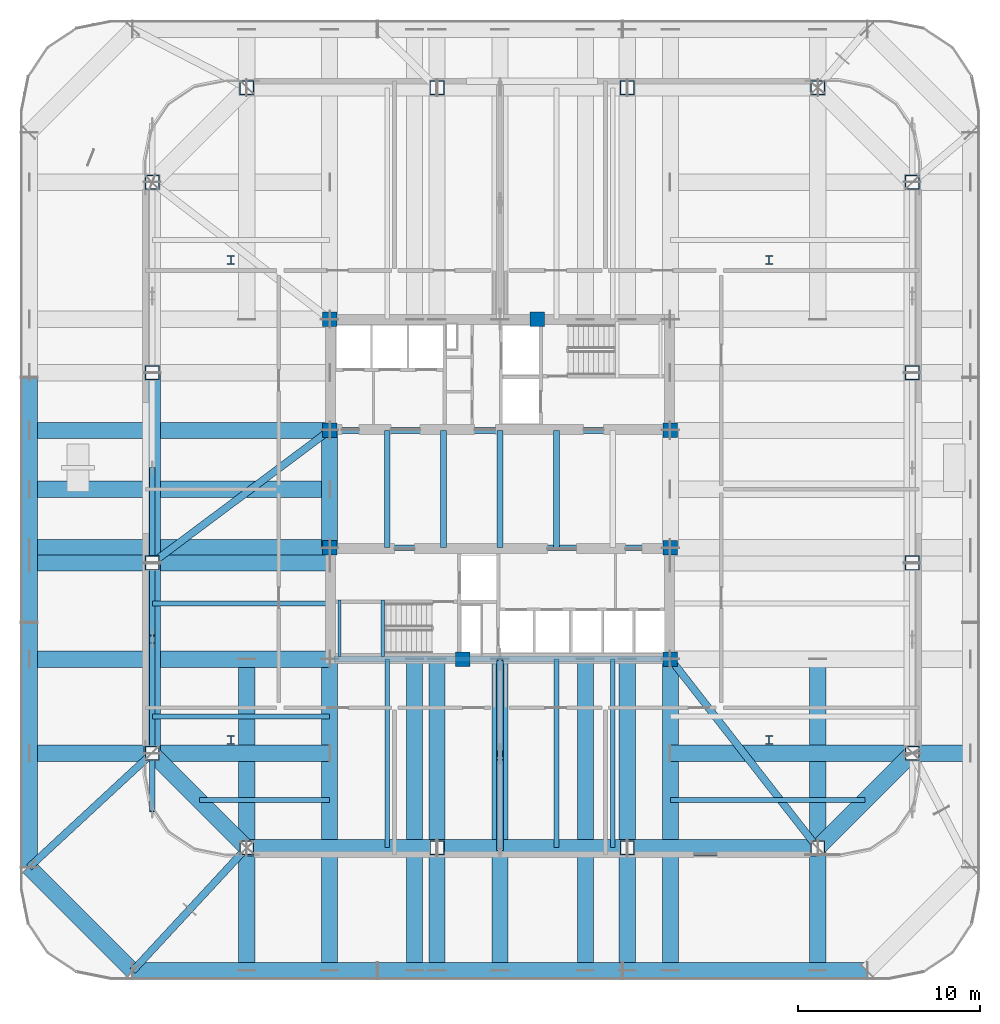
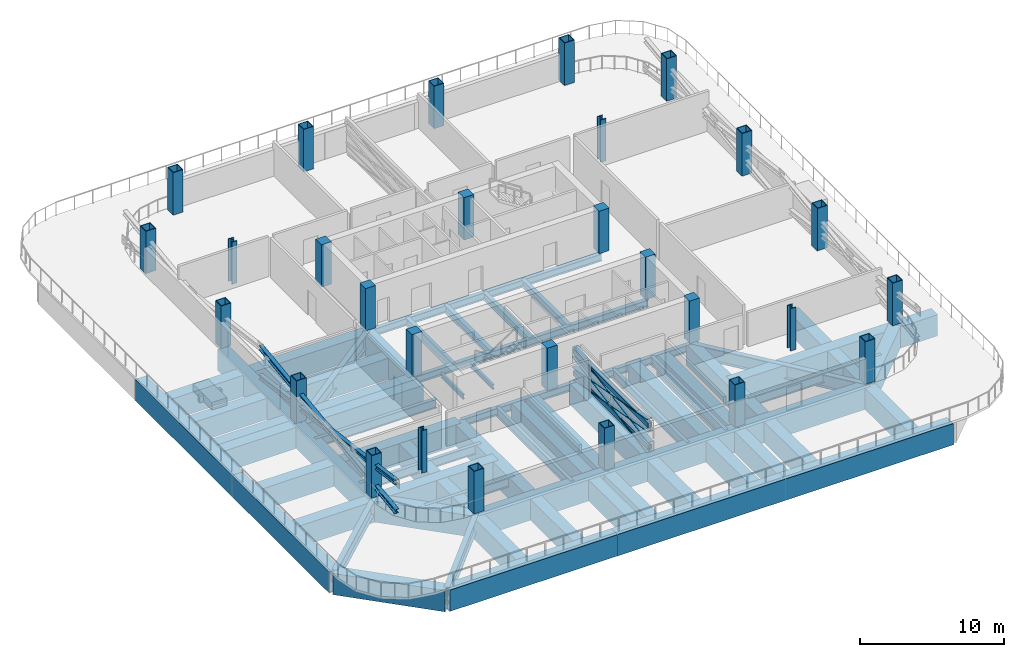
# One storey, part 1 of 16: 50 beams, 28 columns, 8 members.
"""IFC4 building model written with IfcOpenShell, lengths in metres."""

from ifc_helpers import new_model, si_unit, direction, frame, origin, origin_2d, place, context, subcontext, project, spatial, rectangle, hollow_rectangle, i_section, extrude, material, material_profile, profile_set, type_object, element, save


model = new_model("IFC4")

# Units and contexts
model_context = context("Model", 3, precision=1e-05, world=origin(), true_north=direction((0.0, 1.0)))
body_context = subcontext(model_context, "Body", "Model", "MODEL_VIEW")
ifc_project = project(units=[si_unit("LENGTHUNIT", "METRE"), si_unit("AREAUNIT", "SQUARE_METRE"), si_unit("VOLUMEUNIT", "CUBIC_METRE"), si_unit("PLANEANGLEUNIT", "RADIAN"), si_unit("MASSUNIT", "GRAM", prefix="KILO")], contexts=[model_context])

# Site, building, storey
site_placement = place(None, origin())
site = spatial("IfcSite", under=ifc_project, at=site_placement, CompositionType="ELEMENT")
building_placement = place(site_placement, origin())
building = spatial("IfcBuilding", under=site, at=building_placement, Name="Qhalaya Broadcast Tower", CompositionType="ELEMENT")
storey_placement = place(building_placement, frame((0.0, 0.0, 57.89990234375)))
storey = spatial("IfcBuildingStorey", under=building, at=storey_placement, Name="L16", CompositionType="ELEMENT", Elevation=57.89990234375)

# Columns
ifc_material_1 = material(Name="Concrete C50/60", Category="concrete")
ifc_material_profile_1 = material_profile(ifc_material_1, rectangle(XDim=0.800048828125, YDim=0.800048828125, at=origin_2d()), Name="RC-COL 800x800")
ifc_profile_set_1 = profile_set([ifc_material_profile_1], Name="Concrete C50/60")
column_type_1 = type_object("IfcColumnType", Name="RC Upper Column C10", PredefinedType="COLUMN", material=ifc_profile_set_1)
for number, where, z_axis, x_axis, name in (
    (1, (-9.375, 9.949951171875, 0.0), (0.0, 0.0, 1.0), (1.0, 0.0, 0.0), "L16 Column COL-CC1"),
    (2, (2.050048828125, 9.949951171875, 0.0), (0.0, 0.0, 1.0), (1.0, 0.0, 0.0), "L16 Column COL-CC2"),
    (3, (-9.375, 3.824951171875, 0.0), (0.0, 0.0, 1.0), (1.0, 0.0, 0.0), "L16 Column COL-CC3"),
    (4, (9.375, 3.824951171875, 0.0), (0.0, 0.0, 1.0), (1.0, 0.0, 0.0), "L16 Column COL-CC4"),
    (5, (-9.375, -2.625, 0.0), (0.0, 0.0, 1.0), (1.0, 0.0, 0.0), "L16 Column COL-CC5"),
    (6, (9.375, -2.625, 0.0), (0.0, 0.0, 1.0), (1.0, 0.0, 0.0), "L16 Column COL-CC6"),
    (7, (-2.050048828125, -8.75, 0.0), (0.0, 0.0, 1.0), (1.0, 0.0, 0.0), "L16 Column COL-CC7"),
    (8, (9.375, -8.75, 0.0), (0.0, 0.0, 1.0), (1.0, 0.0, 0.0), "L16 Column COL-CC8"),
):
    element("IfcColumn", number, at=place(storey_placement, frame(where, z_axis=z_axis, x_axis=x_axis)), inside=storey, type_object=column_type_1, Name=name, PredefinedType="COLUMN", context=body_context, shape_type="SweptSolid", body=[
        extrude(rectangle(XDim=0.800048828125, YDim=0.800048828125, at=origin_2d()), origin(), (0.0, 0.0, 1.0), 3.60009765625),
    ])
ifc_material_2 = material(Name="Structural Steel ASTM A992 Grade 50", Category="steel")
ifc_material_profile_2 = material_profile(ifc_material_2, i_section(OverallWidth=0.41796875, OverallDepth=0.510009765625, WebThickness=0.0419921875, FlangeThickness=0.067626953125, at=origin_2d()), Name="W14X370")
ifc_profile_set_2 = profile_set([ifc_material_profile_2], Name="Structural Steel ASTM A992 Grade 50")
column_type_2 = type_object("IfcColumnType", Name="Rolled Gravity Column C06", PredefinedType="COLUMN", material=ifc_profile_set_2)
for number, where, z_axis, x_axis, name in (
    (9, (-14.800048828125, -13.199951171875, 0.0), (0.0, 0.0, 1.0), (1.0, 0.0, 0.0), "L16 Column COL-GR1"),
    (10, (14.800048828125, -13.199951171875, 0.0), (0.0, 0.0, 1.0), (1.0, 0.0, 0.0), "L16 Column COL-GR2"),
    (11, (-14.800048828125, 13.199951171875, 0.0), (0.0, 0.0, 1.0), (1.0, 0.0, 0.0), "L16 Column COL-GR3"),
    (12, (14.800048828125, 13.199951171875, 0.0), (0.0, 0.0, 1.0), (1.0, 0.0, 0.0), "L16 Column COL-GR4"),
):
    element("IfcColumn", number, at=place(storey_placement, frame(where, z_axis=z_axis, x_axis=x_axis)), inside=storey, type_object=column_type_2, Name=name, PredefinedType="COLUMN", context=body_context, shape_type="SweptSolid", body=[
        extrude(i_section(OverallWidth=0.41796875, OverallDepth=0.510009765625, WebThickness=0.0419921875, FlangeThickness=0.067626953125, at=origin_2d()), origin(), (0.0, 0.0, 1.0), 3.60009765625),
    ])
ifc_material_3 = material(Name="Structural Steel ASTM A572 Grade 50", Category="steel")
ifc_material_profile_3 = material_profile(ifc_material_3, hollow_rectangle(XDim=0.800048828125, YDim=0.800048828125, WallThickness=0.050048828125, at=origin_2d()), Name="BOX 800x800x50")
ifc_profile_set_3 = profile_set([ifc_material_profile_3], Name="Structural Steel ASTM A572 Grade 50")
column_type_3 = type_object("IfcColumnType", Name="Steel Box Column C03", PredefinedType="COLUMN", material=ifc_profile_set_3)
for number, where, z_axis, x_axis, name in (
    (13, (-13.929931640625, -19.1298828125, 0.0), (0.0, 0.0, 1.0), (1.0, 0.0, 0.0), "L16 Column COL-NK01"),
    (14, (-3.46337890625, -19.1298828125, 0.0), (0.0, 0.0, 1.0), (1.0, 0.0, 0.0), "L16 Column COL-NK02"),
    (15, (7.00341796875, -19.1298828125, 0.0), (0.0, 0.0, 1.0), (1.0, 0.0, 0.0), "L16 Column COL-NK03"),
    (16, (17.469970703125, -19.1298828125, 0.0), (0.0, 0.0, 1.0), (1.0, 0.0, 0.0), "L16 Column COL-NK04"),
    (17, (22.669921875, -13.929931640625, 0.0), (0.0, 0.0, 1.0), (0.0, 1.0, 0.0), "L16 Column COL-NK05"),
    (18, (22.669921875, -3.46337890625, 0.0), (0.0, 0.0, 1.0), (0.0, 1.0, 0.0), "L16 Column COL-NK06"),
    (19, (22.669921875, 7.00341796875, 0.0), (0.0, 0.0, 1.0), (0.0, 1.0, 0.0), "L16 Column COL-NK07"),
    (20, (22.669921875, 17.469970703125, 0.0), (0.0, 0.0, 1.0), (0.0, 1.0, 0.0), "L16 Column COL-NK08"),
    (21, (17.469970703125, 22.669921875, 0.0), (0.0, 0.0, 1.0), (1.0, 0.0, 0.0), "L16 Column COL-NK09"),
    (22, (7.00341796875, 22.669921875, 0.0), (0.0, 0.0, 1.0), (1.0, 0.0, 0.0), "L16 Column COL-NK10"),
    (23, (-3.46337890625, 22.669921875, 0.0), (0.0, 0.0, 1.0), (1.0, 0.0, 0.0), "L16 Column COL-NK11"),
    (24, (-13.929931640625, 22.669921875, 0.0), (0.0, 0.0, 1.0), (1.0, 0.0, 0.0), "L16 Column COL-NK12"),
    (25, (-19.1298828125, 17.469970703125, 0.0), (0.0, 0.0, 1.0), (0.0, 1.0, 0.0), "L16 Column COL-NK13"),
    (26, (-19.1298828125, 7.00341796875, 0.0), (0.0, 0.0, 1.0), (0.0, 1.0, 0.0), "L16 Column COL-NK14"),
    (27, (-19.1298828125, -3.46337890625, 0.0), (0.0, 0.0, 1.0), (0.0, 1.0, 0.0), "L16 Column COL-NK15"),
    (28, (-19.1298828125, -13.929931640625, 0.0), (0.0, 0.0, 1.0), (0.0, 1.0, 0.0), "L16 Column COL-NK16"),
):
    element("IfcColumn", number, at=place(storey_placement, frame(where, z_axis=z_axis, x_axis=x_axis)), inside=storey, type_object=column_type_3, Name=name, PredefinedType="COLUMN", context=body_context, shape_type="SweptSolid", body=[
        extrude(hollow_rectangle(XDim=0.800048828125, YDim=0.800048828125, WallThickness=0.050048828125, at=origin_2d()), origin(), (0.0, 0.0, 1.0), 3.60009765625),
    ])

# Members
ifc_material_profile_4 = material_profile(ifc_material_3, i_section(OverallWidth=0.31298828125, OverallDepth=0.3798828125, WebThickness=0.01806640625, FlangeThickness=0.028076171875, at=origin_2d()), Name="W12X120")
ifc_profile_set_4 = profile_set([ifc_material_profile_4], Name="Structural Steel ASTM A572 Grade 50")
member_type_1 = type_object("IfcMemberType", Name="Belt-Truss Diagonal Brace OB2", PredefinedType="BRACE", material=ifc_profile_set_4)
member_1_placement = place(storey_placement, frame((-19.1298828125, -17.1298828125, 0.4501953125), z_axis=(0.0, 0.991500703308, 0.130101327204), x_axis=(-1.0, 0.0, 0.0)))
element("IfcMember", 29, at=member_1_placement, inside=storey, type_object=member_type_1, Name="L16 Belt Truss Continuous Brace W1A", PredefinedType="BRACE", context=body_context, shape_type="SweptSolid", body=[
    extrude(i_section(OverallWidth=0.31298828125, OverallDepth=0.3798828125, WebThickness=0.01806640625, FlangeThickness=0.028076171875, at=origin_2d()), origin(), (0.0, 0.0, 1.0), 19.06201171875),
])
member_2_placement = place(storey_placement, frame((-19.1298828125, -17.1298828125, 2.93017578125), z_axis=(0.0, 0.991499662783, -0.130109256783), x_axis=(-1.0, 0.0, 0.0)))
element("IfcMember", 30, at=member_2_placement, inside=storey, type_object=member_type_1, Name="L16 Belt Truss Split Brace W1B1", PredefinedType="BRACE", context=body_context, shape_type="SweptSolid", body=[
    extrude(i_section(OverallWidth=0.31298828125, OverallDepth=0.3798828125, WebThickness=0.01806640625, FlangeThickness=0.028076171875, at=origin_2d()), origin(), (0.0, 0.0, 1.0), 9.310791015625),
])
member_3_placement = place(storey_placement, frame((-19.1298828125, -7.4619140625, 1.661376953125), z_axis=(0.0, 0.991503488763, -0.130080097523), x_axis=(-1.0, 0.0, 0.0)))
element("IfcMember", 31, at=member_3_placement, inside=storey, type_object=member_type_1, Name="L16 Belt Truss Split Brace W1B2", PredefinedType="BRACE", context=body_context, shape_type="SweptSolid", body=[
    extrude(i_section(OverallWidth=0.31298828125, OverallDepth=0.3798828125, WebThickness=0.01806640625, FlangeThickness=0.028076171875, at=origin_2d()), origin(), (0.0, 0.0, 1.0), 9.31103515625),
])

# Beams
ifc_material_profile_5 = material_profile(ifc_material_3, hollow_rectangle(XDim=0.89990234375, YDim=1.800048828125, WallThickness=0.06005859375, at=origin_2d()), Name="BOX 900x1800x60")
ifc_profile_set_5 = profile_set([ifc_material_profile_5], Name="Structural Steel ASTM A572 Grade 50")
beam_type_1 = type_object("IfcBeamType", Name="Block Cantilever Transfer Box Girder TG1", PredefinedType="USERDEFINED", material=ifc_profile_set_5)
beam_1_placement = place(storey_placement, frame((-13.929931640625, -19.1298828125, -1.179931640625), z_axis=(1.0, 0.0, 0.0), x_axis=(0.0, 1.0, 0.0)))
element("IfcBeam", 32, at=beam_1_placement, inside=storey, type_object=beam_type_1, Name="L16 TG1 L16-SPR-01", ObjectType="GIRDER", PredefinedType="USERDEFINED", context=body_context, shape_type="SweptSolid", body=[
    extrude(hollow_rectangle(XDim=0.89990234375, YDim=1.800048828125, WallThickness=0.06005859375, at=origin_2d()), origin(), (0.0, 0.0, 1.0), 10.466552734375),
])
beam_2_placement = place(storey_placement, frame((-3.46337890625, -19.1298828125, -1.179931640625), z_axis=(1.0, 0.0, 0.0), x_axis=(0.0, 1.0, 0.0)))
element("IfcBeam", 33, at=beam_2_placement, inside=storey, type_object=beam_type_1, Name="L16 TG1 L16-SPR-02", ObjectType="GIRDER", PredefinedType="USERDEFINED", context=body_context, shape_type="SweptSolid", body=[
    extrude(hollow_rectangle(XDim=0.89990234375, YDim=1.800048828125, WallThickness=0.06005859375, at=origin_2d()), origin(), (0.0, 0.0, 1.0), 10.466796875),
])
beam_3_placement = place(storey_placement, frame((7.00341796875, -19.1298828125, -1.179931640625), z_axis=(1.0, 0.0, 0.0), x_axis=(0.0, 1.0, 0.0)))
element("IfcBeam", 34, at=beam_3_placement, inside=storey, type_object=beam_type_1, Name="L16 TG1 L16-SPR-03", ObjectType="GIRDER", PredefinedType="USERDEFINED", context=body_context, shape_type="SweptSolid", body=[
    extrude(hollow_rectangle(XDim=0.89990234375, YDim=1.800048828125, WallThickness=0.06005859375, at=origin_2d()), origin(), (0.0, 0.0, 1.0), 10.466552734375),
])
beam_4_placement = place(storey_placement, frame((17.469970703125, -19.1298828125, -1.179931640625), z_axis=(0.707106781187, 0.707106781187, 0.0), x_axis=(-0.707106781187, 0.707106781187, 0.0)))
element("IfcBeam", 35, at=beam_4_placement, inside=storey, type_object=beam_type_1, Name="L16 TG1 L16-SPR-04", ObjectType="GIRDER", PredefinedType="USERDEFINED", context=body_context, shape_type="SweptSolid", body=[
    extrude(hollow_rectangle(XDim=0.89990234375, YDim=1.800048828125, WallThickness=0.06005859375, at=origin_2d()), origin(), (0.0, 0.0, 1.0), 7.353759765625),
])
beam_5_placement = place(storey_placement, frame((-19.1298828125, 7.00341796875, -1.179931640625), z_axis=(0.0, -1.0, 0.0), x_axis=(1.0, 0.0, 0.0)))
element("IfcBeam", 36, at=beam_5_placement, inside=storey, type_object=beam_type_1, Name="L16 TG1 L16-SPR-14", ObjectType="GIRDER", PredefinedType="USERDEFINED", context=body_context, shape_type="SweptSolid", body=[
    extrude(hollow_rectangle(XDim=0.89990234375, YDim=1.800048828125, WallThickness=0.06005859375, at=origin_2d()), origin(), (0.0, 0.0, 1.0), 10.466796875),
])
beam_6_placement = place(storey_placement, frame((-19.1298828125, -3.46337890625, -1.179931640625), z_axis=(0.0, -1.0, 0.0), x_axis=(1.0, 0.0, 0.0)))
element("IfcBeam", 37, at=beam_6_placement, inside=storey, type_object=beam_type_1, Name="L16 TG1 L16-SPR-15", ObjectType="GIRDER", PredefinedType="USERDEFINED", context=body_context, shape_type="SweptSolid", body=[
    extrude(hollow_rectangle(XDim=0.89990234375, YDim=1.800048828125, WallThickness=0.06005859375, at=origin_2d()), origin(), (0.0, 0.0, 1.0), 10.466552734375),
])
beam_7_placement = place(storey_placement, frame((-19.1298828125, -13.929931640625, -1.179931640625), z_axis=(0.707106781187, -0.707106781187, 0.0), x_axis=(0.707106781187, 0.707106781187, 0.0)))
element("IfcBeam", 38, at=beam_7_placement, inside=storey, type_object=beam_type_1, Name="L16 TG1 L16-SPR-16", ObjectType="GIRDER", PredefinedType="USERDEFINED", context=body_context, shape_type="SweptSolid", body=[
    extrude(hollow_rectangle(XDim=0.89990234375, YDim=1.800048828125, WallThickness=0.06005859375, at=origin_2d()), origin(), (0.0, 0.0, 1.0), 7.353759765625),
])
beam_8_placement = place(storey_placement, frame((-20.199951171875, -25.89990234375, -1.179931640625), z_axis=(1.0, 0.0, 0.0), x_axis=(0.0, 1.0, 0.0)))
element("IfcBeam", 39, at=beam_8_placement, inside=storey, type_object=beam_type_1, Name="L16 TG1 L16-TGL-01", ObjectType="GIRDER", PredefinedType="USERDEFINED", context=body_context, shape_type="SweptSolid", body=[
    extrude(hollow_rectangle(XDim=0.89990234375, YDim=1.800048828125, WallThickness=0.06005859375, at=origin_2d()), origin(), (0.0, 0.0, 1.0), 13.466552734375),
])
beam_9_placement = place(storey_placement, frame((-6.7333984375, -25.89990234375, -1.179931640625), z_axis=(1.0, 0.0, 0.0), x_axis=(0.0, 1.0, 0.0)))
element("IfcBeam", 40, at=beam_9_placement, inside=storey, type_object=beam_type_1, Name="L16 TG1 L16-TGL-02", ObjectType="GIRDER", PredefinedType="USERDEFINED", context=body_context, shape_type="SweptSolid", body=[
    extrude(hollow_rectangle(XDim=0.89990234375, YDim=1.800048828125, WallThickness=0.06005859375, at=origin_2d()), origin(), (0.0, 0.0, 1.0), 13.466796875),
])
beam_10_placement = place(storey_placement, frame((6.7333984375, -25.89990234375, -1.179931640625), z_axis=(1.0, 0.0, 0.0), x_axis=(0.0, 1.0, 0.0)))
element("IfcBeam", 41, at=beam_10_placement, inside=storey, type_object=beam_type_1, Name="L16 TG1 L16-TGL-03", ObjectType="GIRDER", PredefinedType="USERDEFINED", context=body_context, shape_type="SweptSolid", body=[
    extrude(hollow_rectangle(XDim=0.89990234375, YDim=1.800048828125, WallThickness=0.06005859375, at=origin_2d()), origin(), (0.0, 0.0, 1.0), 13.466552734375),
])
beam_11_placement = place(storey_placement, frame((-25.89990234375, 6.7333984375, -1.179931640625), z_axis=(0.0, -1.0, 0.0), x_axis=(1.0, 0.0, 0.0)))
element("IfcBeam", 42, at=beam_11_placement, inside=storey, type_object=beam_type_1, Name="L16 TG1 L16-TGL-14", ObjectType="GIRDER", PredefinedType="USERDEFINED", context=body_context, shape_type="SweptSolid", body=[
    extrude(hollow_rectangle(XDim=0.89990234375, YDim=1.800048828125, WallThickness=0.06005859375, at=origin_2d()), origin(), (0.0, 0.0, 1.0), 13.466796875),
])
beam_12_placement = place(storey_placement, frame((-25.89990234375, -6.7333984375, -1.179931640625), z_axis=(0.0, -1.0, 0.0), x_axis=(1.0, 0.0, 0.0)))
element("IfcBeam", 43, at=beam_12_placement, inside=storey, type_object=beam_type_1, Name="L16 TG1 L16-TGL-15", ObjectType="GIRDER", PredefinedType="USERDEFINED", context=body_context, shape_type="SweptSolid", body=[
    extrude(hollow_rectangle(XDim=0.89990234375, YDim=1.800048828125, WallThickness=0.06005859375, at=origin_2d()), origin(), (0.0, 0.0, 1.0), 13.466552734375),
])
beam_13_placement = place(storey_placement, frame((-25.89990234375, -20.199951171875, -1.179931640625), z_axis=(0.707106781187, -0.707106781187, 0.0), x_axis=(0.707106781187, 0.707106781187, 0.0)))
element("IfcBeam", 44, at=beam_13_placement, inside=storey, type_object=beam_type_1, Name="L16 TG1 L16-TGL-16", ObjectType="GIRDER", PredefinedType="USERDEFINED", context=body_context, shape_type="SweptSolid", body=[
    extrude(hollow_rectangle(XDim=0.89990234375, YDim=1.800048828125, WallThickness=0.06005859375, at=origin_2d()), origin(), (0.0, 0.0, 1.0), 8.06103515625),
])
for number, where, z_axis, x_axis, name in (
    (45, (0.0, -25.860107421875, -1.179931640625), (0.0, 1.0, 0.0), (-1.0, 0.0, 0.0), "L16 TG1 L16-TGIMS-1"),
    (46, (-4.699951171875, -25.860107421875, -1.179931640625), (0.0, 1.0, 0.0), (-1.0, 0.0, 0.0), "L16 TG1 L16-TGIMSW-1"),
    (47, (4.699951171875, -25.860107421875, -1.179931640625), (0.0, 1.0, 0.0), (-1.0, 0.0, 0.0), "L16 TG1 L16-TGIMSE-1"),
):
    element("IfcBeam", number, at=place(storey_placement, frame(where, z_axis=z_axis, x_axis=x_axis)), inside=storey, type_object=beam_type_1, Name=name, ObjectType="GIRDER", PredefinedType="USERDEFINED", context=body_context, shape_type="SweptSolid", body=[
        extrude(hollow_rectangle(XDim=0.89990234375, YDim=1.800048828125, WallThickness=0.06005859375, at=origin_2d()), origin(), (0.0, 0.0, 1.0), 17.110107421875),
    ])
beam_14_placement = place(storey_placement, frame((-25.860107421875, 0.60009765625, -1.179931640625), z_axis=(1.0, 0.0, 0.0), x_axis=(0.0, 1.0, 0.0)))
element("IfcBeam", 48, at=beam_14_placement, inside=storey, type_object=beam_type_1, Name="L16 TG1 L16-TGIYW-1", ObjectType="GIRDER", PredefinedType="USERDEFINED", context=body_context, shape_type="SweptSolid", body=[
    extrude(hollow_rectangle(XDim=0.89990234375, YDim=1.800048828125, WallThickness=0.06005859375, at=origin_2d()), origin(), (0.0, 0.0, 1.0), 16.485107421875),
])
for number, where, z_axis, x_axis, name in (
    (49, (-9.375, -25.860107421875, -1.179931640625), (0.0, 1.0, 0.0), (-1.0, 0.0, 0.0), "L16 TG1 L16-TGISW-1"),
    (50, (9.375, -25.860107421875, -1.179931640625), (0.0, 1.0, 0.0), (-1.0, 0.0, 0.0), "L16 TG1 L16-TGISE-1"),
):
    element("IfcBeam", number, at=place(storey_placement, frame(where, z_axis=z_axis, x_axis=x_axis)), inside=storey, type_object=beam_type_1, Name=name, ObjectType="GIRDER", PredefinedType="USERDEFINED", context=body_context, shape_type="SweptSolid", body=[
        extrude(hollow_rectangle(XDim=0.89990234375, YDim=1.800048828125, WallThickness=0.06005859375, at=origin_2d()), origin(), (0.0, 0.0, 1.0), 17.110107421875),
    ])
beam_15_placement = place(storey_placement, frame((-9.375, -2.625, -1.179931640625), z_axis=(0.0, 1.0, 0.0), x_axis=(-1.0, 0.0, 0.0)))
element("IfcBeam", 51, at=beam_15_placement, inside=storey, type_object=beam_type_1, Name="L16 TG1 L16-TGIMW-1", ObjectType="GIRDER", PredefinedType="USERDEFINED", context=body_context, shape_type="SweptSolid", body=[
    extrude(hollow_rectangle(XDim=0.89990234375, YDim=1.800048828125, WallThickness=0.06005859375, at=origin_2d()), origin(), (0.0, 0.0, 1.0), 6.449951171875),
])
for number, where, z_axis, x_axis, name in (
    (52, (-25.860107421875, -8.75, -1.179931640625), (1.0, 0.0, 0.0), (0.0, 1.0, 0.0), "L16 TG1 L16-TGIY1W-1"),
    (53, (-25.860107421875, -2.625, -1.179931640625), (1.0, 0.0, 0.0), (0.0, 1.0, 0.0), "L16 TG1 L16-TGIY2W-1"),
    (54, (-25.860107421875, 3.824951171875, -1.179931640625), (1.0, 0.0, 0.0), (0.0, 1.0, 0.0), "L16 TG1 L16-TGIY3W-1"),
):
    element("IfcBeam", number, at=place(storey_placement, frame(where, z_axis=z_axis, x_axis=x_axis)), inside=storey, type_object=beam_type_1, Name=name, ObjectType="GIRDER", PredefinedType="USERDEFINED", context=body_context, shape_type="SweptSolid", body=[
        extrude(hollow_rectangle(XDim=0.89990234375, YDim=1.800048828125, WallThickness=0.06005859375, at=origin_2d()), origin(), (0.0, 0.0, 1.0), 16.485107421875),
    ])
for number, where, z_axis, x_axis, name in (
    (55, (-13.929931640625, -25.860107421875, -1.179931640625), (0.0, 1.0, 0.0), (-1.0, 0.0, 0.0), "L16 Spanning Transfer Box Girder 01"),
    (56, (-3.46337890625, -25.860107421875, -1.179931640625), (0.0, 1.0, 0.0), (-1.0, 0.0, 0.0), "L16 Spanning Transfer Box Girder 02"),
    (57, (7.00341796875, -25.860107421875, -1.179931640625), (0.0, 1.0, 0.0), (-1.0, 0.0, 0.0), "L16 Spanning Transfer Box Girder 03"),
    (58, (17.469970703125, -25.860107421875, -1.179931640625), (0.0, 1.0, 0.0), (-1.0, 0.0, 0.0), "L16 Spanning Transfer Box Girder 04"),
):
    element("IfcBeam", number, at=place(storey_placement, frame(where, z_axis=z_axis, x_axis=x_axis)), inside=storey, type_object=beam_type_1, Name=name, ObjectType="GIRDER", PredefinedType="USERDEFINED", context=body_context, shape_type="SweptSolid", body=[
        extrude(hollow_rectangle(XDim=0.89990234375, YDim=1.800048828125, WallThickness=0.06005859375, at=origin_2d()), origin(), (0.0, 0.0, 1.0), 17.110107421875),
    ])
for number, where, z_axis, x_axis, name in (
    (59, (9.375, -13.929931640625, -1.179931640625), (1.0, 0.0, 0.0), (0.0, 1.0, 0.0), "L16 Spanning Transfer Box Girder 05"),
    (60, (-25.860107421875, -3.46337890625, -1.179931640625), (1.0, 0.0, 0.0), (0.0, 1.0, 0.0), "L16 Spanning Transfer Box Girder 15"),
    (61, (-25.860107421875, -13.929931640625, -1.179931640625), (1.0, 0.0, 0.0), (0.0, 1.0, 0.0), "L16 Spanning Transfer Box Girder 16"),
):
    element("IfcBeam", number, at=place(storey_placement, frame(where, z_axis=z_axis, x_axis=x_axis)), inside=storey, type_object=beam_type_1, Name=name, ObjectType="GIRDER", PredefinedType="USERDEFINED", context=body_context, shape_type="SweptSolid", body=[
        extrude(hollow_rectangle(XDim=0.89990234375, YDim=1.800048828125, WallThickness=0.06005859375, at=origin_2d()), origin(), (0.0, 0.0, 1.0), 16.485107421875),
    ])
ifc_material_profile_6 = material_profile(ifc_material_2, i_section(OverallWidth=0.323974609375, OverallDepth=0.612060546875, WebThickness=0.0126953125, FlangeThickness=0.01904296875, at=origin_2d()), Name="W24X104")
ifc_profile_set_6 = profile_set([ifc_material_profile_6], Name="Structural Steel ASTM A992 Grade 50")
beam_type_2 = type_object("IfcBeamType", Name="Core Frame Tie Beam B04", PredefinedType="BEAM", material=ifc_profile_set_6)
for number, where, z_axis, x_axis, name in (
    (62, (-9.375, 3.824951171875, -0.5859375), (1.0, 0.0, 0.0), (0.0, 1.0, 0.0), "L16 B04 L16-CCN1"),
    (63, (-9.375, -2.625, -0.5859375), (1.0, 0.0, 0.0), (0.0, 1.0, 0.0), "L16 B04 L16-CCS1"),
):
    element("IfcBeam", number, at=place(storey_placement, frame(where, z_axis=z_axis, x_axis=x_axis)), inside=storey, type_object=beam_type_2, Name=name, PredefinedType="BEAM", context=body_context, shape_type="SweptSolid", body=[
        extrude(i_section(OverallWidth=0.323974609375, OverallDepth=0.612060546875, WebThickness=0.0126953125, FlangeThickness=0.01904296875, at=origin_2d()), origin(), (0.0, 0.0, 1.0), 18.75),
    ])
beam_16_placement = place(storey_placement, frame((-9.1201171875, -8.75, -0.5859375), z_axis=(1.0, 0.0, 0.0), x_axis=(0.0, 1.0, 0.0)))
element("IfcBeam", 64, at=beam_16_placement, inside=storey, type_object=beam_type_2, Name="L16 B04 L16-CCS3", PredefinedType="BEAM", context=body_context, shape_type="SweptSolid", body=[
    extrude(i_section(OverallWidth=0.323974609375, OverallDepth=0.612060546875, WebThickness=0.0126953125, FlangeThickness=0.01904296875, at=origin_2d()), origin(), (0.0, 0.0, 1.0), 18.4951171875),
])
for number, where, z_axis, x_axis, name in (
    (65, (-6.199951171875, -2.625, -0.5859375), (0.0, 1.0, 0.0), (-1.0, 0.0, 0.0), "L16 B04 L16-JC1-1"),
    (66, (-3.10009765625, -2.625, -0.5859375), (0.0, 1.0, 0.0), (-1.0, 0.0, 0.0), "L16 B04 L16-JC2-1"),
    (67, (0.0, -2.625, -0.5859375), (0.0, 1.0, 0.0), (-1.0, 0.0, 0.0), "L16 B04 L16-JC3-1"),
    (68, (3.10009765625, -2.625, -0.5859375), (0.0, 1.0, 0.0), (-1.0, 0.0, 0.0), "L16 B04 L16-JC4-1"),
):
    element("IfcBeam", number, at=place(storey_placement, frame(where, z_axis=z_axis, x_axis=x_axis)), inside=storey, type_object=beam_type_2, Name=name, PredefinedType="BEAM", context=body_context, shape_type="SweptSolid", body=[
        extrude(i_section(OverallWidth=0.323974609375, OverallDepth=0.612060546875, WebThickness=0.0126953125, FlangeThickness=0.01904296875, at=origin_2d()), origin(), (0.0, 0.0, 1.0), 6.449951171875),
    ])

# Members
ifc_material_profile_7 = material_profile(ifc_material_3, i_section(OverallWidth=0.40087890625, OverallDepth=1.0009765625, WebThickness=0.01904296875, FlangeThickness=0.0361328125, at=origin_2d()), Name="W40X249")
ifc_profile_set_7 = profile_set([ifc_material_profile_7], Name="Structural Steel ASTM A572 Grade 50")
member_type_2 = type_object("IfcMemberType", Name="Core-to-Perimeter Outrigger Brace OB1", PredefinedType="BRACE", material=ifc_profile_set_7)
member_4_placement = place(storey_placement, frame((0.0, -8.75, 0.4501953125), z_axis=(0.0, -0.984633303231, 0.174634641946), x_axis=(1.0, 0.0, 0.0)))
element("IfcMember", 69, at=member_4_placement, inside=storey, type_object=member_type_2, Name="L16 Outrigger Continuous Diagonal SCA", PredefinedType="BRACE", context=body_context, shape_type="SweptSolid", body=[
    extrude(i_section(OverallWidth=0.40087890625, OverallDepth=1.0009765625, WebThickness=0.01904296875, FlangeThickness=0.0361328125, at=origin_2d()), origin(), (0.0, 0.0, 1.0), 10.5927734375),
])
member_5_placement = place(storey_placement, frame((0.0, -8.75, 2.300048828125), z_axis=(0.0, -0.984632507215, -0.174639130025), x_axis=(1.0, 0.0, 0.0)))
element("IfcMember", 70, at=member_5_placement, inside=storey, type_object=member_type_2, Name="L16 Outrigger Split Diagonal SCB1", PredefinedType="BRACE", context=body_context, shape_type="SweptSolid", body=[
    extrude(i_section(OverallWidth=0.40087890625, OverallDepth=1.0009765625, WebThickness=0.01904296875, FlangeThickness=0.0361328125, at=origin_2d()), origin(), (0.0, 0.0, 1.0), 5.056396484375),
])
member_6_placement = place(storey_placement, frame((0.0, -14.201416015625, 1.333251953125), z_axis=(0.0, -0.984631034539, -0.174647432911), x_axis=(1.0, 0.0, 0.0)))
element("IfcMember", 71, at=member_6_placement, inside=storey, type_object=member_type_2, Name="L16 Outrigger Split Diagonal SCB2", PredefinedType="BRACE", context=body_context, shape_type="SweptSolid", body=[
    extrude(i_section(OverallWidth=0.40087890625, OverallDepth=1.0009765625, WebThickness=0.01904296875, FlangeThickness=0.0361328125, at=origin_2d()), origin(), (0.0, 0.0, 1.0), 5.05615234375),
])
ifc_material_profile_8 = material_profile(ifc_material_3, hollow_rectangle(XDim=0.300048828125, YDim=0.39990234375, WallThickness=0.02001953125, at=origin_2d()), Name="HSS 300x400x20")
ifc_profile_set_8 = profile_set([ifc_material_profile_8], Name="Structural Steel ASTM A572 Grade 50")
member_type_3 = type_object("IfcMemberType", Name="Outrigger & Belt-Truss Chord CH1", PredefinedType="CHORD", material=ifc_profile_set_8)
for number, where, z_axis, x_axis, name in (
    (72, (0.0, -8.75, 0.4501953125), (0.0, -1.0, 0.0), (1.0, 0.0, 0.0), "L16 Outrigger Bottom Chord SC"),
    (73, (0.0, -8.75, 2.300048828125), (0.0, -1.0, 0.0), (1.0, 0.0, 0.0), "L16 Outrigger Top Chord SC"),
):
    element("IfcMember", number, at=place(storey_placement, frame(where, z_axis=z_axis, x_axis=x_axis)), inside=storey, type_object=member_type_3, Name=name, PredefinedType="CHORD", context=body_context, shape_type="SweptSolid", body=[
        extrude(hollow_rectangle(XDim=0.300048828125, YDim=0.39990234375, WallThickness=0.02001953125, at=origin_2d()), origin(), (0.0, 0.0, 1.0), 10.429931640625),
    ])

# Beams
ifc_material_profile_9 = material_profile(ifc_material_2, i_section(OverallWidth=0.26708984375, OverallDepth=0.761962890625, WebThickness=0.014404296875, FlangeThickness=0.021484375, at=origin_2d()), Name="W30X116")
ifc_profile_set_9 = profile_set([ifc_material_profile_9], Name="Structural Steel ASTM A992 Grade 50")
beam_type_3 = type_object("IfcBeamType", Name="Plant & Server Floor Beam B02", PredefinedType="BEAM", material=ifc_profile_set_9)
for number, where, z_axis, x_axis, name in (
    (74, (-6.199951171875, -19.110107421875, -0.660888671875), (0.0, 1.0, 0.0), (-1.0, 0.0, 0.0), "L16 B02 L16-JNS1-1"),
    (75, (3.10009765625, -19.110107421875, -0.660888671875), (0.0, 1.0, 0.0), (-1.0, 0.0, 0.0), "L16 B02 L16-JNS4-1"),
    (76, (6.199951171875, -19.110107421875, -0.660888671875), (0.0, 1.0, 0.0), (-1.0, 0.0, 0.0), "L16 B02 L16-JNS5-1"),
):
    element("IfcBeam", number, at=place(storey_placement, frame(where, z_axis=z_axis, x_axis=x_axis)), inside=storey, type_object=beam_type_3, Name=name, PredefinedType="BEAM", context=body_context, shape_type="SweptSolid", body=[
        extrude(i_section(OverallWidth=0.26708984375, OverallDepth=0.761962890625, WebThickness=0.014404296875, FlangeThickness=0.021484375, at=origin_2d()), origin(), (0.0, 0.0, 1.0), 10.360107421875),
    ])
beam_17_placement = place(storey_placement, frame((-16.53173828125, -16.5, -0.660888671875), z_axis=(1.0, 0.0, 0.0), x_axis=(0.0, 1.0, 0.0)))
element("IfcBeam", 77, at=beam_17_placement, inside=storey, type_object=beam_type_3, Name="L16 B02 L16-JWE1W-1", PredefinedType="BEAM", context=body_context, shape_type="SweptSolid", body=[
    extrude(i_section(OverallWidth=0.26708984375, OverallDepth=0.761962890625, WebThickness=0.014404296875, FlangeThickness=0.021484375, at=origin_2d()), origin(), (0.0, 0.0, 1.0), 7.15673828125),
])
beam_18_placement = place(storey_placement, frame((9.375, -16.5, -0.660888671875), z_axis=(1.0, 0.0, 0.0), x_axis=(0.0, 1.0, 0.0)))
element("IfcBeam", 78, at=beam_18_placement, inside=storey, type_object=beam_type_3, Name="L16 B02 L16-JWE1E-1", PredefinedType="BEAM", context=body_context, shape_type="SweptSolid", body=[
    extrude(i_section(OverallWidth=0.26708984375, OverallDepth=0.761962890625, WebThickness=0.014404296875, FlangeThickness=0.021484375, at=origin_2d()), origin(), (0.0, 0.0, 1.0), 10.69677734375),
])
for number, where, z_axis, x_axis, name in (
    (79, (-19.110107421875, -11.89990234375, -0.660888671875), (1.0, 0.0, 0.0), (0.0, 1.0, 0.0), "L16 B02 L16-JWE2W-1"),
    (80, (-19.110107421875, -5.699951171875, -0.660888671875), (1.0, 0.0, 0.0), (0.0, 1.0, 0.0), "L16 B02 L16-JWE3W-1"),
):
    element("IfcBeam", number, at=place(storey_placement, frame(where, z_axis=z_axis, x_axis=x_axis)), inside=storey, type_object=beam_type_3, Name=name, PredefinedType="BEAM", context=body_context, shape_type="SweptSolid", body=[
        extrude(i_section(OverallWidth=0.26708984375, OverallDepth=0.761962890625, WebThickness=0.014404296875, FlangeThickness=0.021484375, at=origin_2d()), origin(), (0.0, 0.0, 1.0), 9.735107421875),
    ])
ifc_material_profile_10 = material_profile(ifc_material_2, i_section(OverallWidth=0.404052734375, OverallDepth=1.117919921875, WebThickness=0.026123046875, FlangeThickness=0.044921875, at=origin_2d()), Name="W44X335")
ifc_profile_set_10 = profile_set([ifc_material_profile_10], Name="Structural Steel ASTM A992 Grade 50")
beam_type_4 = type_object("IfcBeamType", Name="Podium Long-Span Primary Girder PG1", PredefinedType="USERDEFINED", material=ifc_profile_set_10)
beam_19_placement = place(storey_placement, frame((-20.199951171875, -25.89990234375, -0.8388671875), z_axis=(0.679494552667, 0.73368055235, 0.0), x_axis=(-0.73368055235, 0.679494552667, 0.0)))
element("IfcBeam", 81, at=beam_19_placement, inside=storey, type_object=beam_type_4, Name="L16 Column-to-Column Moment Tie Girder 01-1", ObjectType="GIRDER", PredefinedType="USERDEFINED", context=body_context, shape_type="SweptSolid", body=[
    extrude(i_section(OverallWidth=0.404052734375, OverallDepth=1.117919921875, WebThickness=0.026123046875, FlangeThickness=0.044921875, at=origin_2d()), origin(), (0.0, 0.0, 1.0), 9.2275390625),
])
beam_20_placement = place(storey_placement, frame((9.375, -8.75, -0.8388671875), z_axis=(0.614968604412, -0.788551593485, 0.0), x_axis=(0.788551593485, 0.614968604412, 0.0)))
element("IfcBeam", 82, at=beam_20_placement, inside=storey, type_object=beam_type_4, Name="L16 Column-to-Column Moment Tie Girder 04-1", ObjectType="GIRDER", PredefinedType="USERDEFINED", context=body_context, shape_type="SweptSolid", body=[
    extrude(i_section(OverallWidth=0.404052734375, OverallDepth=1.117919921875, WebThickness=0.026123046875, FlangeThickness=0.044921875, at=origin_2d()), origin(), (0.0, 0.0, 1.0), 13.163330078125),
])
beam_21_placement = place(storey_placement, frame((-9.375, 3.824951171875, -0.8388671875), z_axis=(-0.801095768447, -0.598536189195, 0.0), x_axis=(0.598536189195, -0.801095768447, 0.0)))
element("IfcBeam", 83, at=beam_21_placement, inside=storey, type_object=beam_type_4, Name="L16 Column-to-Column Moment Tie Girder 15-2", ObjectType="GIRDER", PredefinedType="USERDEFINED", context=body_context, shape_type="SweptSolid", body=[
    extrude(i_section(OverallWidth=0.404052734375, OverallDepth=1.117919921875, WebThickness=0.026123046875, FlangeThickness=0.044921875, at=origin_2d()), origin(), (0.0, 0.0, 1.0), 12.177001953125),
])
beam_22_placement = place(storey_placement, frame((-25.89990234375, -20.199951171875, -0.8388671875), z_axis=(0.73368055235, 0.679494552667, 0.0), x_axis=(-0.679494552667, 0.73368055235, 0.0)))
element("IfcBeam", 84, at=beam_22_placement, inside=storey, type_object=beam_type_4, Name="L16 Column-to-Column Moment Tie Girder 16-1", ObjectType="GIRDER", PredefinedType="USERDEFINED", context=body_context, shape_type="SweptSolid", body=[
    extrude(i_section(OverallWidth=0.404052734375, OverallDepth=1.117919921875, WebThickness=0.026123046875, FlangeThickness=0.044921875, at=origin_2d()), origin(), (0.0, 0.0, 1.0), 9.2275390625),
])
ifc_material_profile_11 = material_profile(ifc_material_2, i_section(OverallWidth=0.177978515625, OverallDepth=0.406005859375, WebThickness=0.0078125, FlangeThickness=0.0126953125, at=origin_2d()), Name="W16X40")
ifc_profile_set_11 = profile_set([ifc_material_profile_11], Name="Structural Steel ASTM A992 Grade 50")
beam_type_5 = type_object("IfcBeamType", Name="Upper Perimeter Spandrel Beam SP2", PredefinedType="SPANDREL", material=ifc_profile_set_11)
for number, where, z_axis, x_axis, name in (
    (85, (-8.830078125, -8.6201171875, 1.397216796875), (0.0, 1.0, 0.0), (-1.0, 0.0, 0.0), "L16 ST-2 Half-Landing Bearer Beam 1"),
    (86, (-6.455078125, -8.6201171875, 1.397216796875), (0.0, 1.0, 0.0), (-1.0, 0.0, 0.0), "L16 ST-2 Half-Landing Bearer Beam 2"),
):
    element("IfcBeam", number, at=place(storey_placement, frame(where, z_axis=z_axis, x_axis=x_axis)), inside=storey, type_object=beam_type_5, Name=name, PredefinedType="SPANDREL", context=body_context, shape_type="SweptSolid", body=[
        extrude(i_section(OverallWidth=0.177978515625, OverallDepth=0.406005859375, WebThickness=0.0078125, FlangeThickness=0.0126953125, at=origin_2d()), origin(), (0.0, 0.0, 1.0), 3.1201171875),
    ])

save(model, "model.ifc")
